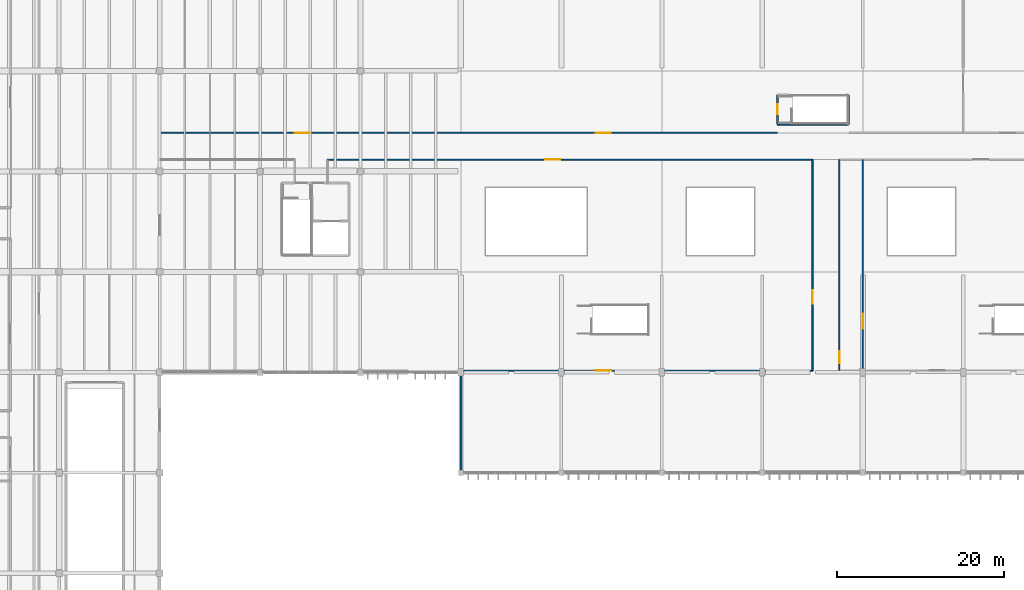
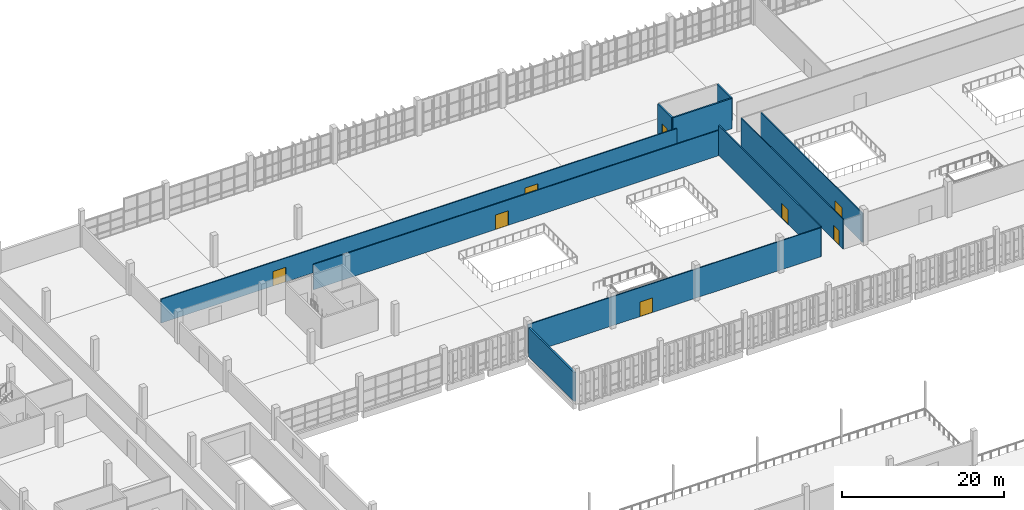
# One storey, part 83 of 112: 10 walls, 8 doors, 8 openings.
"""IFC4 building model written with IfcOpenShell, lengths in metres."""

from ifc_helpers import new_model, si_unit, direction, frame, frame_2d, origin, place, context, subcontext, project, spatial, rectangle, extrude, material, layer, layer_set, type_object, element, fill, save


model = new_model("IFC4")

# Units and contexts
model_context = context("Model", 3, precision=1e-05, world=origin(), true_north=direction((0.0, 1.0)))
body_context = subcontext(model_context, "Body", "Model", "MODEL_VIEW")
ifc_project = project(units=[si_unit("LENGTHUNIT", "METRE"), si_unit("AREAUNIT", "SQUARE_METRE"), si_unit("VOLUMEUNIT", "CUBIC_METRE"), si_unit("PLANEANGLEUNIT", "RADIAN"), si_unit("MASSUNIT", "GRAM", prefix="KILO")], contexts=[model_context])

# Site, building, storey
site_placement = place(None, origin())
site = spatial("IfcSite", under=ifc_project, at=site_placement, CompositionType="ELEMENT")
building_placement = place(site_placement, origin())
building = spatial("IfcBuilding", under=site, at=building_placement, Name="Kamomehara Wholesale Market", CompositionType="ELEMENT")
storey_placement = place(building_placement, frame((0.0, 0.0, 6.60009765625)))
storey = spatial("IfcBuildingStorey", under=building, at=storey_placement, Name="L01", CompositionType="ELEMENT", Elevation=6.60009765625)

# Wall
ifc_material_1 = material(Name="Precast concrete Fc45 (C40/50)", Category="concrete")
ifc_layer_1 = layer(ifc_material_1, 0.260009765625)
ifc_layer_set_1 = layer_set([ifc_layer_1], Name="Precast concrete Fc45 (C40/50)")
wall_type_1 = type_object("IfcWallType", Name="EW-PC-260", PredefinedType="SOLIDWALL", material=ifc_layer_set_1)
wall_1_placement = place(storey_placement, frame((72.0, 96.31005859375, 0.0), z_axis=(0.0, 0.0, 1.0), x_axis=(0.0, 1.0, 0.0)))
element("IfcWall", 1, at=wall_1_placement, inside=storey, type_object=wall_type_1, Name="Exterior wall EW-PC-260 73", PredefinedType="SOLIDWALL", context=body_context, shape_type="SweptSolid", body=[
    extrude(rectangle(XDim=11.239990234375, YDim=0.260009765625, at=frame_2d((5.6201171875, 0.0))), origin(), (0.0, 0.0, 1.0), 4.3798828125),
])

# Wall, opening, door
ifc_material_2 = material(Name="Gypsum board partition")
ifc_layer_2 = layer(ifc_material_2, 0.14990234375)
ifc_layer_set_2 = layer_set([ifc_layer_2], Name="Gypsum board partition")
wall_type_2 = type_object("IfcWallType", Name="IW-PRT-150", PredefinedType="PARTITIONING", material=ifc_layer_set_2)
wall_2_placement = place(storey_placement, frame((56.050048828125, 133.39990234375, 0.0), z_axis=(0.0, 0.0, 1.0), x_axis=(1.0, 0.0, 0.0)))
wall_2 = element("IfcWall", 2, at=wall_2_placement, inside=storey, type_object=wall_type_2, Name="Interior wall IW-PRT-150 281", PredefinedType="PARTITIONING", context=body_context, shape_type="SweptSolid", body=[
    extrude(rectangle(XDim=57.949951171875, YDim=0.14990234375, at=frame_2d((28.97509765625, 0.0))), origin(), (0.0, 0.0, 1.0), 3.8349609375),
])
opening_1_placement = place(wall_2_placement, frame((26.0, 0.0, 0.0)))
opening_1 = element("IfcOpeningElement", 3, at=opening_1_placement, cuts=wall_2, Name="Opening ID-L01-171", PredefinedType="OPENING", context=body_context, shape_type="SweptSolid", body=[
    extrude(rectangle(XDim=1.800048828125, YDim=2.199951171875, at=frame_2d((0.89990234375, 1.10009765625))), frame((0.0, 0.08984375, 0.0), z_axis=(0.0, -1.0, 0.0), x_axis=(1.0, 0.0, 0.0)), (0.0, 0.0, 1.0), 0.1796875),
])
ifc_material_3 = material(Name="Steel SN400B", Category="steel")
door_type_1 = type_object("IfcDoorType", Name="IDR-FD-1800x2200", OperationType="NOTDEFINED", PredefinedType="DOOR", material=ifc_material_3)
door_1_placement = place(opening_1_placement, origin())
door_1 = element("IfcDoor", 4, at=door_1_placement, inside=storey, type_object=door_type_1, Name="Interior door ID-L01-171", OperationType="SINGLE_SWING_LEFT", OverallHeight=2.199951171875, OverallWidth=1.800048828125, PredefinedType="DOOR", context=body_context, shape_type="SweptSolid", body=[
    extrude(rectangle(XDim=1.800048828125, YDim=2.199951171875, at=frame_2d((0.89990234375, 1.10009765625))), frame((0.0, 0.02490234375, 0.0), z_axis=(0.0, -1.0, 0.0), x_axis=(1.0, 0.0, 0.0)), (0.0, 0.0, 1.0), 0.050048828125),
])
fill(opening_1, door_1)

# Wall, openings, doors
wall_3_placement = place(storey_placement, frame((36.1201171875, 136.60009765625, 0.0), z_axis=(0.0, 0.0, 1.0), x_axis=(1.0, 0.0, 0.0)))
wall_3 = element("IfcWall", 5, at=wall_3_placement, inside=storey, type_object=wall_type_2, Name="Interior wall IW-PRT-150 286", PredefinedType="PARTITIONING", context=body_context, shape_type="SweptSolid", body=[
    extrude(rectangle(XDim=73.679931640625, YDim=0.14990234375, at=frame_2d((36.83984375, 0.0))), origin(), (0.0, 0.0, 1.0), 3.602783203125),
])
opening_2_placement = place(wall_3_placement, frame((16.0, 0.0, 0.0)))
opening_2 = element("IfcOpeningElement", 6, at=opening_2_placement, cuts=wall_3, Name="Opening ID-L01-174", PredefinedType="OPENING", context=body_context, shape_type="SweptSolid", body=[
    extrude(rectangle(XDim=1.800048828125, YDim=2.199951171875, at=frame_2d((0.89990234375, 1.10009765625))), frame((0.0, 0.08984375, 0.0), z_axis=(0.0, -1.0, 0.0), x_axis=(1.0, 0.0, 0.0)), (0.0, 0.0, 1.0), 0.1796875),
])
opening_3_placement = place(wall_3_placement, frame((52.0, 0.0, 0.0)))
opening_3 = element("IfcOpeningElement", 7, at=opening_3_placement, cuts=wall_3, Name="Opening ID-L01-175", PredefinedType="OPENING", context=body_context, shape_type="SweptSolid", body=[
    extrude(rectangle(XDim=1.800048828125, YDim=2.199951171875, at=frame_2d((0.89990234375, 1.10009765625))), frame((0.0, 0.08984375, 0.0), z_axis=(0.0, -1.0, 0.0), x_axis=(1.0, 0.0, 0.0)), (0.0, 0.0, 1.0), 0.1796875),
])
door_2_placement = place(opening_2_placement, origin())
door_2 = element("IfcDoor", 8, at=door_2_placement, inside=storey, type_object=door_type_1, Name="Interior door ID-L01-174", OperationType="SINGLE_SWING_RIGHT", OverallHeight=2.199951171875, OverallWidth=1.800048828125, PredefinedType="DOOR", context=body_context, shape_type="SweptSolid", body=[
    extrude(rectangle(XDim=1.800048828125, YDim=2.199951171875, at=frame_2d((0.89990234375, 1.10009765625))), frame((0.0, 0.02490234375, 0.0), z_axis=(0.0, -1.0, 0.0), x_axis=(1.0, 0.0, 0.0)), (0.0, 0.0, 1.0), 0.050048828125),
])
fill(opening_2, door_2)
door_3_placement = place(opening_3_placement, origin())
door_3 = element("IfcDoor", 9, at=door_3_placement, inside=storey, type_object=door_type_1, Name="Interior door ID-L01-175", OperationType="SINGLE_SWING_LEFT", OverallHeight=2.199951171875, OverallWidth=1.800048828125, PredefinedType="DOOR", context=body_context, shape_type="SweptSolid", body=[
    extrude(rectangle(XDim=1.800048828125, YDim=2.199951171875, at=frame_2d((0.89990234375, 1.10009765625))), frame((0.0, 0.02490234375, 0.0), z_axis=(0.0, -1.0, 0.0), x_axis=(1.0, 0.0, 0.0)), (0.0, 0.0, 1.0), 0.050048828125),
])
fill(opening_3, door_3)

# Wall, opening, door
wall_4_placement = place(storey_placement, frame((120.0, 108.199951171875, 0.0), z_axis=(0.0, 0.0, 1.0), x_axis=(0.0, 1.0, 0.0)))
wall_4 = element("IfcWall", 10, at=wall_4_placement, inside=storey, type_object=wall_type_2, Name="Interior wall IW-PRT-150 290", PredefinedType="PARTITIONING", context=body_context, shape_type="SweptSolid", body=[
    extrude(rectangle(XDim=25.199951171875, YDim=0.14990234375, at=frame_2d((12.60009765625, 0.0))), origin(), (0.0, 0.0, 1.0), 4.385009765625),
])
opening_4_placement = place(wall_4_placement, frame((5.0, 0.0, 0.0)))
opening_4 = element("IfcOpeningElement", 11, at=opening_4_placement, cuts=wall_4, Name="Opening ID-L01-178", PredefinedType="OPENING", context=body_context, shape_type="SweptSolid", body=[
    extrude(rectangle(XDim=1.800048828125, YDim=2.199951171875, at=frame_2d((0.89990234375, 1.10009765625))), frame((0.0, 0.08984375, 0.0), z_axis=(0.0, -1.0, 0.0), x_axis=(1.0, 0.0, 0.0)), (0.0, 0.0, 1.0), 0.1796875),
])
door_4_placement = place(opening_4_placement, origin())
door_4 = element("IfcDoor", 12, at=door_4_placement, inside=storey, type_object=door_type_1, Name="Interior door ID-L01-178", OperationType="SINGLE_SWING_RIGHT", OverallHeight=2.199951171875, OverallWidth=1.800048828125, PredefinedType="DOOR", context=body_context, shape_type="SweptSolid", body=[
    extrude(rectangle(XDim=1.800048828125, YDim=2.199951171875, at=frame_2d((0.89990234375, 1.10009765625))), frame((0.0, 0.02490234375, 0.0), z_axis=(0.0, -1.0, 0.0), x_axis=(1.0, 0.0, 0.0)), (0.0, 0.0, 1.0), 0.050048828125),
])
fill(opening_4, door_4)

wall_5_placement = place(storey_placement, frame((72.1298828125, 108.199951171875, 0.0), z_axis=(0.0, 0.0, 1.0), x_axis=(1.0, 0.0, 0.0)))
wall_5 = element("IfcWall", 13, at=wall_5_placement, inside=storey, type_object=wall_type_2, Name="Interior wall IW-PRT-150 292", PredefinedType="PARTITIONING", context=body_context, shape_type="SweptSolid", body=[
    extrude(rectangle(XDim=41.8701171875, YDim=0.14990234375, at=frame_2d((20.93505859375, 0.0))), origin(), (0.0, 0.0, 1.0), 4.385009765625),
])
opening_5_placement = place(wall_5_placement, frame((16.0, 0.0, 0.0)))
opening_5 = element("IfcOpeningElement", 14, at=opening_5_placement, cuts=wall_5, Name="Opening ID-L01-180", PredefinedType="OPENING", context=body_context, shape_type="SweptSolid", body=[
    extrude(rectangle(XDim=1.800048828125, YDim=2.199951171875, at=frame_2d((0.89990234375, 1.10009765625))), frame((0.0, 0.08984375, 0.0), z_axis=(0.0, -1.0, 0.0), x_axis=(1.0, 0.0, 0.0)), (0.0, 0.0, 1.0), 0.1796875),
])
door_5_placement = place(opening_5_placement, origin())
door_5 = element("IfcDoor", 15, at=door_5_placement, inside=storey, type_object=door_type_1, Name="Interior door ID-L01-180", OperationType="SINGLE_SWING_RIGHT", OverallHeight=2.199951171875, OverallWidth=1.800048828125, PredefinedType="DOOR", context=body_context, shape_type="SweptSolid", body=[
    extrude(rectangle(XDim=1.800048828125, YDim=2.199951171875, at=frame_2d((0.89990234375, 1.10009765625))), frame((0.0, 0.02490234375, 0.0), z_axis=(0.0, -1.0, 0.0), x_axis=(1.0, 0.0, 0.0)), (0.0, 0.0, 1.0), 0.050048828125),
])
fill(opening_5, door_5)

wall_6_placement = place(storey_placement, frame((117.199951171875, 108.199951171875, 0.0), z_axis=(0.0, 0.0, 1.0), x_axis=(0.0, 1.0, 0.0)))
wall_6 = element("IfcWall", 16, at=wall_6_placement, inside=storey, type_object=wall_type_2, Name="Interior wall IW-PRT-150 294", PredefinedType="PARTITIONING", context=body_context, shape_type="SweptSolid", body=[
    extrude(rectangle(XDim=25.199951171875, YDim=0.14990234375, at=frame_2d((12.60009765625, 0.0))), origin(), (0.0, 0.0, 1.0), 4.52001953125),
])
opening_6_placement = place(wall_6_placement, frame((0.89990234375, 0.0, 0.0)))
opening_6 = element("IfcOpeningElement", 17, at=opening_6_placement, cuts=wall_6, Name="Opening ID-L01-182", PredefinedType="OPENING", context=body_context, shape_type="SweptSolid", body=[
    extrude(rectangle(XDim=1.39990234375, YDim=2.199951171875, at=frame_2d((0.699951171875, 1.10009765625))), frame((0.0, 0.08984375, 0.0), z_axis=(0.0, -1.0, 0.0), x_axis=(1.0, 0.0, 0.0)), (0.0, 0.0, 1.0), 0.1796875),
])
ifc_material_4 = material(Name="Steel SN400B", Category="steel")
door_type_2 = type_object("IfcDoorType", Name="IDR-FD-1400x2200", OperationType="NOTDEFINED", PredefinedType="DOOR", material=ifc_material_4)
door_6_placement = place(opening_6_placement, origin())
door_6 = element("IfcDoor", 18, at=door_6_placement, inside=storey, type_object=door_type_2, Name="Interior door ID-L01-182", OperationType="SINGLE_SWING_RIGHT", OverallHeight=2.199951171875, OverallWidth=1.39990234375, PredefinedType="DOOR", context=body_context, shape_type="SweptSolid", body=[
    extrude(rectangle(XDim=1.39990234375, YDim=2.199951171875, at=frame_2d((0.699951171875, 1.10009765625))), frame((0.0, 0.02490234375, 0.0), z_axis=(0.0, -1.0, 0.0), x_axis=(1.0, 0.0, 0.0)), (0.0, 0.0, 1.0), 0.050048828125),
])
fill(opening_6, door_6)

ifc_material_5 = material(Name="Gypsum board partition")
ifc_layer_3 = layer(ifc_material_5, 0.175048828125)
ifc_layer_set_3 = layer_set([ifc_layer_3], Name="Gypsum board partition")
wall_type_3 = type_object("IfcWallType", Name="IW-PRT-175", PredefinedType="PARTITIONING", material=ifc_layer_set_3)
wall_7_placement = place(storey_placement, frame((114.0, 108.199951171875, 0.0), z_axis=(0.0, 0.0, 1.0), x_axis=(0.0, 1.0, 0.0)))
wall_7 = element("IfcWall", 19, at=wall_7_placement, inside=storey, type_object=wall_type_3, Name="Interior wall IW-PRT-175 293", PredefinedType="PARTITIONING", context=body_context, shape_type="SweptSolid", body=[
    extrude(rectangle(XDim=25.199951171875, YDim=0.175048828125, at=frame_2d((12.60009765625, 0.0))), origin(), (0.0, 0.0, 1.0), 4.52001953125),
])
opening_7_placement = place(wall_7_placement, frame((8.0, 0.0, 0.0)))
opening_7 = element("IfcOpeningElement", 20, at=opening_7_placement, cuts=wall_7, Name="Opening ID-L01-181", PredefinedType="OPENING", context=body_context, shape_type="SweptSolid", body=[
    extrude(rectangle(XDim=1.60009765625, YDim=2.199951171875, at=frame_2d((0.800048828125, 1.10009765625))), frame((0.0, 0.1025390625, 0.0), z_axis=(0.0, -1.0, 0.0), x_axis=(1.0, 0.0, 0.0)), (0.0, 0.0, 1.0), 0.204833984375),
])
ifc_material_6 = material(Name="Steel SN400B", Category="steel")
door_type_3 = type_object("IfcDoorType", Name="IDR-FD-1600x2200", OperationType="NOTDEFINED", PredefinedType="DOOR", material=ifc_material_6)
door_7_placement = place(opening_7_placement, origin())
door_7 = element("IfcDoor", 21, at=door_7_placement, inside=storey, type_object=door_type_3, Name="Interior door ID-L01-181", OperationType="SINGLE_SWING_LEFT", OverallHeight=2.199951171875, OverallWidth=1.60009765625, PredefinedType="DOOR", context=body_context, shape_type="SweptSolid", body=[
    extrude(rectangle(XDim=1.60009765625, YDim=2.199951171875, at=frame_2d((0.800048828125, 1.10009765625))), frame((0.0, 0.02490234375, 0.0), z_axis=(0.0, -1.0, 0.0), x_axis=(1.0, 0.0, 0.0)), (0.0, 0.0, 1.0), 0.050048828125),
])
fill(opening_7, door_7)

ifc_material_7 = material(Name="Concrete Fc36 (C35/45)", Category="concrete")
ifc_layer_4 = layer(ifc_material_7, 0.219970703125)
ifc_layer_set_4 = layer_set([ifc_layer_4], Name="Concrete Fc36 (C35/45)")
wall_type_4 = type_object("IfcWallType", Name="IW-SHR-220", PredefinedType="SHEAR", material=ifc_layer_set_4)
wall_8_placement = place(storey_placement, frame((109.800048828125, 141.1201171875, 0.0), z_axis=(0.0, 0.0, 1.0), x_axis=(0.0, -1.0, 0.0)))
wall_8 = element("IfcWall", 22, at=wall_8_placement, inside=storey, type_object=wall_type_4, Name="Interior wall IW-SHR-220 167", PredefinedType="SHEAR", context=body_context, shape_type="SweptSolid", body=[
    extrude(rectangle(XDim=3.480224609375, YDim=0.219970703125, at=frame_2d((1.740234375, 0.0))), origin(), (0.0, 0.0, 1.0), 4.58984375),
])
opening_8_placement = place(wall_8_placement, frame((1.10009765625, 0.0, 0.0)))
opening_8 = element("IfcOpeningElement", 23, at=opening_8_placement, cuts=wall_8, Name="Opening FD-ST-13-L01", PredefinedType="OPENING", context=body_context, shape_type="SweptSolid", body=[
    extrude(rectangle(XDim=1.199951171875, YDim=2.199951171875, at=frame_2d((0.60009765625, 1.10009765625))), frame((0.0, 0.125, 0.0), z_axis=(0.0, -1.0, 0.0), x_axis=(1.0, 0.0, 0.0)), (0.0, 0.0, 1.0), 0.249755859375),
])
ifc_material_8 = material(Name="Steel SN400B", Category="steel")
door_type_4 = type_object("IfcDoorType", Name="IDR-FD-1200x2200", OperationType="NOTDEFINED", PredefinedType="DOOR", material=ifc_material_8)
door_8_placement = place(opening_8_placement, origin())
door_8 = element("IfcDoor", 24, at=door_8_placement, inside=storey, type_object=door_type_4, Name="Stair fire door FD-ST-13-L01", OperationType="SINGLE_SWING_LEFT", OverallHeight=2.199951171875, OverallWidth=1.199951171875, PredefinedType="DOOR", context=body_context, shape_type="SweptSolid", body=[
    extrude(rectangle(XDim=1.199951171875, YDim=2.199951171875, at=frame_2d((0.60009765625, 1.10009765625))), frame((0.0, 0.02490234375, 0.0), z_axis=(0.0, -1.0, 0.0), x_axis=(1.0, 0.0, 0.0)), (0.0, 0.0, 1.0), 0.050048828125),
])
fill(opening_8, door_8)

# Walls
wall_9_placement = place(storey_placement, frame((109.800048828125, 137.639892578125, 0.0), z_axis=(0.0, 0.0, 1.0), x_axis=(1.0, 0.0, 0.0)))
element("IfcWall", 25, at=wall_9_placement, inside=storey, type_object=wall_type_4, Name="Interior wall IW-SHR-220 168", PredefinedType="SHEAR", context=body_context, shape_type="SweptSolid", body=[
    extrude(rectangle(XDim=8.469970703125, YDim=0.219970703125, at=frame_2d((4.23486328125, 0.0))), origin(), (0.0, 0.0, 1.0), 4.58984375),
])
wall_10_placement = place(storey_placement, frame((118.27001953125, 137.639892578125, 0.0), z_axis=(0.0, 0.0, 1.0), x_axis=(0.0, 1.0, 0.0)))
element("IfcWall", 26, at=wall_10_placement, inside=storey, type_object=wall_type_4, Name="Interior wall IW-SHR-220 169", PredefinedType="SHEAR", context=body_context, shape_type="SweptSolid", body=[
    extrude(rectangle(XDim=3.480224609375, YDim=0.219970703125, at=frame_2d((1.740234375, 0.0))), origin(), (0.0, 0.0, 1.0), 4.58984375),
])

save(model, "model.ifc")
